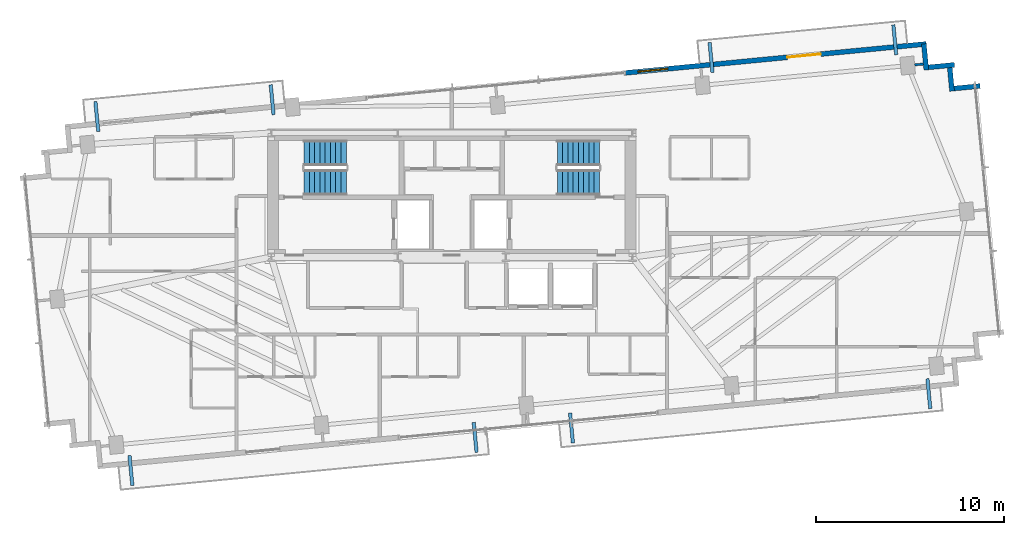
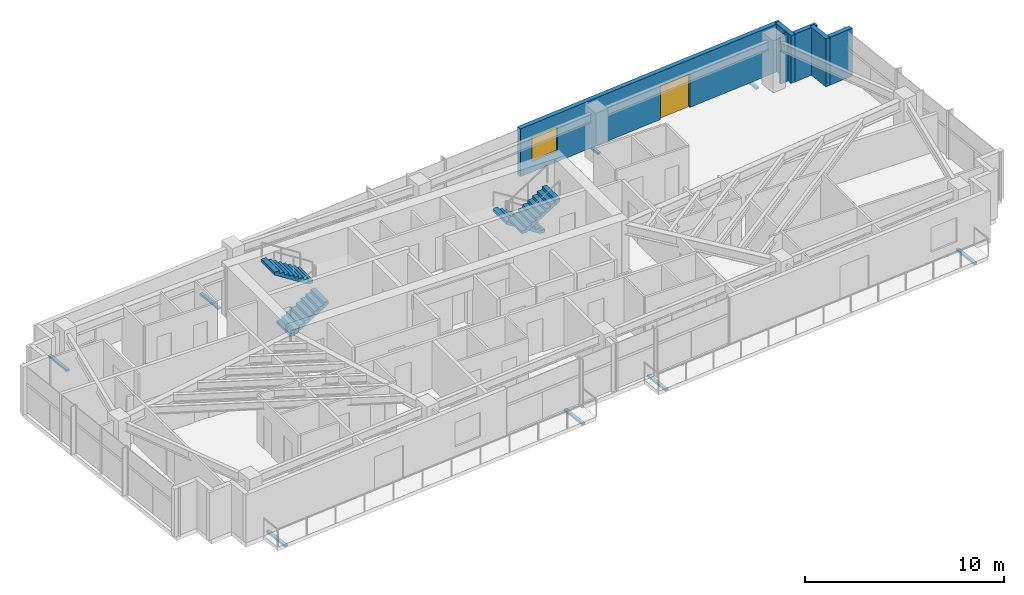
# One storey, part 16 of 18: 8 discrete accessories, 6 walls, 4 stair flights, 1 door, 1 window, 2 openings, 2 elements without a shape of their own.
"""IFC4 building model written with IfcOpenShell, lengths in metres."""

from ifc_helpers import new_model, si_unit, direction, frame, frame_2d, origin, origin_2d, place, context, subcontext, project, spatial, polyline, rectangle, outline, extrude, source, transform, mapped, material, layer, layer_set, type_object, type_shapes, element, fill, aggregate, save


model = new_model("IFC4")

# Units and contexts
model_context = context("Model", 3, precision=1e-05, world=origin(), true_north=direction((0.0, 1.0)))
body_context = subcontext(model_context, "Body", "Model", "MODEL_VIEW")
ifc_project = project(units=[si_unit("LENGTHUNIT", "METRE"), si_unit("AREAUNIT", "SQUARE_METRE"), si_unit("VOLUMEUNIT", "CUBIC_METRE"), si_unit("PLANEANGLEUNIT", "RADIAN"), si_unit("MASSUNIT", "GRAM", prefix="KILO")], contexts=[model_context])

# Site, building, storey
site_placement = place(None, origin())
site = spatial("IfcSite", under=ifc_project, at=site_placement, CompositionType="ELEMENT")
building_placement = place(site_placement, origin())
building = spatial("IfcBuilding", under=site, at=building_placement, Name="Astriad Promenade Condominiums", CompositionType="ELEMENT")
storey_placement = place(building_placement, frame((0.0, 0.0, 205.0)))
storey = spatial("IfcBuildingStorey", under=building, at=storey_placement, Name="L59", CompositionType="ELEMENT", Elevation=205.0)

# Wall, openings, door, window
ifc_material_1 = material(Name="Precast concrete C50/60", Category="concrete")
ifc_layer_1 = layer(ifc_material_1, 0.260009765625)
ifc_layer_set_1 = layer_set([ifc_layer_1], Name="Precast concrete C50/60")
wall_type_1 = type_object("IfcWallType", Name="WALL-EXT-TWR-260", PredefinedType="STANDARD", material=ifc_layer_set_1)
wall_1_placement = place(storey_placement, frame((45.198974609375, 27.189697265625, 0.0), z_axis=(0.0, 0.0, 1.0), x_axis=(0.995397074604, 0.095836652014, 0.0)))
wall_1 = element("IfcWall", 1, at=wall_1_placement, inside=storey, type_object=wall_type_1, Name="W-EXT-L59-N2", PredefinedType="STANDARD", context=body_context, shape_type="SweptSolid", body=[
    extrude(rectangle(XDim=16.10009765625, YDim=0.260009765625, at=frame_2d((8.050048828125, 0.0))), origin(), (0.0, 0.0, 1.0), 2.93994140625),
])
opening_1_placement = place(wall_1_placement, frame((8.669921875, 0.0, 0.0)))
opening_1 = element("IfcOpeningElement", 2, at=opening_1_placement, cuts=wall_1, Name="Opening BD-1822-SLD", PredefinedType="OPENING", context=body_context, shape_type="SweptSolid", body=[
    extrude(rectangle(XDim=1.800048828125, YDim=2.06005859375, at=frame_2d((0.89990234375, 1.030029296875))), frame((0.0, 0.139892578125, 0.0), z_axis=(0.0, -1.0, 0.0), x_axis=(1.0, 0.0, 0.0)), (0.0, 0.0, 1.0), 0.280029296875),
])
opening_2_placement = place(wall_1_placement, frame((0.699951171875, 0.0, 0.64990234375)))
opening_2 = element("IfcOpeningElement", 3, at=opening_2_placement, cuts=wall_1, Name="Opening WIN-TWR-1620", PredefinedType="OPENING", context=body_context, shape_type="SweptSolid", body=[
    extrude(rectangle(XDim=1.60009765625, YDim=1.5, at=frame_2d((0.800048828125, 0.75))), frame((0.0, 0.139892578125, 0.0), z_axis=(0.0, -1.0, 0.0), x_axis=(1.0, 0.0, 0.0)), (0.0, 0.0, 1.0), 0.280029296875),
])
ifc_material_2 = material(Name="Thermally Broken Aluminium Sliding Balcony Door", Category="aluminium")
door_type = type_object("IfcDoorType", Name="BD-1822-SLD", OperationType="NOTDEFINED", PredefinedType="DOOR", material=ifc_material_2)
shared_shape_1 = source(origin(), body_context, "Body", "SweptSolid", [
    extrude(rectangle(XDim=1.800048828125, YDim=2.06005859375, at=frame_2d((0.89990234375, 1.030029296875))), frame((0.0, 0.02490234375, 0.0), z_axis=(0.0, -1.0, 0.0), x_axis=(1.0, 0.0, 0.0)), (0.0, 0.0, 1.0), 0.050048828125),
])
type_shapes(door_type, [shared_shape_1])
door_placement = place(opening_1_placement, origin())
door = element("IfcDoor", 4, at=door_placement, inside=storey, type_object=door_type, Name="BD-L59-NE", OperationType="SLIDING_TO_RIGHT", OverallHeight=2.06005859375, OverallWidth=1.800048828125, PredefinedType="DOOR", context=body_context, shape_type="MappedRepresentation", body=[
    mapped(shared_shape_1, transform((0.0, 0.0, 0.0), scale=1.0)),
])
fill(opening_1, door)
ifc_material_3 = material(Name="Dark Tinted Triple-Glazed Aluminium Window", Category="aluminium")
window_type = type_object("IfcWindowType", Name="WIN-TWR-1620", PartitioningType="SINGLE_PANEL", PredefinedType="WINDOW", material=ifc_material_3)
shared_shape_2 = source(origin(), body_context, "Body", "SweptSolid", [
    extrude(rectangle(XDim=1.60009765625, YDim=1.5, at=frame_2d((0.800048828125, 0.75))), frame((0.0, 0.030029296875, 0.0), z_axis=(0.0, -1.0, 0.0), x_axis=(1.0, 0.0, 0.0)), (0.0, 0.0, 1.0), 0.06005859375),
])
type_shapes(window_type, [shared_shape_2])
window_placement = place(opening_2_placement, origin())
window = element("IfcWindow", 5, at=window_placement, inside=storey, type_object=window_type, Name="WIN-L59-NE", OverallHeight=1.5, OverallWidth=1.60009765625, PartitioningType="SINGLE_PANEL", PredefinedType="WINDOW", context=body_context, shape_type="MappedRepresentation", body=[
    mapped(shared_shape_2, transform((0.0, 0.0, 0.0), scale=1.0)),
])
fill(opening_2, window)

# Walls
wall_2_placement = place(storey_placement, frame((61.093994140625, 28.735107421875, 0.0), z_axis=(0.0, 0.0, 1.0), x_axis=(0.095742423056, -0.99540614245, 0.0)))
element("IfcWall", 6, at=wall_2_placement, inside=storey, type_object=wall_type_1, Name="W-SER-L59-09", PredefinedType="STANDARD", context=body_context, shape_type="SweptSolid", body=[
    extrude(rectangle(XDim=1.394775390625, YDim=0.260009765625, at=frame_2d((0.697265625, 0.0))), origin(), (0.0, 0.0, 1.0), 2.93994140625),
])
wall_3_placement = place(storey_placement, frame((61.32958984375, 27.487060546875, 0.0), z_axis=(0.0, 0.0, 1.0), x_axis=(0.995391056452, 0.09589913835, 0.0)))
element("IfcWall", 7, at=wall_3_placement, inside=storey, type_object=wall_type_1, Name="W-SER-L59-10", PredefinedType="STANDARD", context=body_context, shape_type="SweptSolid", body=[
    extrude(rectangle(XDim=1.39501953125, YDim=0.260009765625, at=frame_2d((0.697509765625, 0.0))), origin(), (0.0, 0.0, 1.0), 2.93994140625),
])
for number, where, z_axis, x_axis, name in (
    (8, (62.4580078125, 27.610595703125, 0.0), (0.0, 0.0, 1.0), (0.095915846097, -0.995389446633, 0.0), "W-SER-L59-11"),
    (9, (62.69384765625, 26.362548828125, 0.0), (0.0, 0.0, 1.0), (0.995389446633, 0.095915846097, 0.0), "W-SER-L59-12"),
):
    element("IfcWall", number, at=place(storey_placement, frame(where, z_axis=z_axis, x_axis=x_axis)), inside=storey, type_object=wall_type_1, Name=name, PredefinedType="STANDARD", context=body_context, shape_type="SweptSolid", body=[
        extrude(rectangle(XDim=1.394775390625, YDim=0.260009765625, at=frame_2d((0.697265625, 0.0))), origin(), (0.0, 0.0, 1.0), 2.93994140625),
    ])
ifc_material_4 = material(Name="Acoustic Metal-Stud Gypsum Partition")
ifc_layer_2 = layer(ifc_material_4, 0.1201171875)
ifc_layer_set_2 = layer_set([ifc_layer_2], Name="Acoustic Metal-Stud Gypsum Partition")
wall_type_2 = type_object("IfcWallType", Name="WALL-PART-120", PredefinedType="PARTITIONING", material=ifc_layer_set_2)
wall_4_placement = place(storey_placement, frame((60.60888671875, 27.618408203125, 0.0), z_axis=(0.0, 0.0, 1.0), x_axis=(0.995384576284, 0.09596637586, 0.0)))
element("IfcWall", 10, at=wall_4_placement, inside=storey, type_object=wall_type_2, Name="PT-PIL-L59-PC10-17", PredefinedType="PARTITIONING", context=body_context, shape_type="SweptSolid", body=[
    extrude(rectangle(XDim=0.4580078125, YDim=0.1201171875, at=frame_2d((0.22900390625, 0.0))), origin(), (0.0, 0.0, 1.0), 2.93994140625),
])

# Stair, stair flights
ifc_material_5 = material(Name="Concrete C50/60", Category="concrete")
stair_type = type_object("IfcStairType", Name="STR-CORE-1350", PredefinedType="HALF_TURN_STAIR", material=ifc_material_5)
stair_1_placement = place(storey_placement, origin())
stair_1 = element("IfcStair", 11, at=stair_1_placement, inside=storey, type_object=stair_type, Name="L59 Enclosed Core Exit Stair ST-1", PredefinedType="HALF_TURN_STAIR")
stair_flight_type = type_object("IfcStairFlightType", Name="SFL-CORE-1350", PredefinedType="STRAIGHT", material=ifc_material_5)
shared_shape_3 = source(origin(), body_context, "Body", "SweptSolid", [
    extrude(outline(polyline([(0.0, 0.0), (0.0, 0.177734375), (0.280029296875, 0.177734375), (0.280029296875, 0.35546875), (0.56005859375, 0.35546875), (0.56005859375, 0.533447265625), (0.840087890625, 0.533447265625), (0.840087890625, 0.711181640625), (1.1201171875, 0.711181640625), (1.1201171875, 0.888916015625), (1.39990234375, 0.888916015625), (1.39990234375, 1.066650390625), (1.679931640625, 1.066650390625), (1.679931640625, 1.244384765625), (1.9599609375, 1.244384765625), (1.9599609375, 1.422119140625), (2.239990234375, 1.422119140625), (2.239990234375, 1.60009765625), (2.239990234375, 1.24462890625), (0.27978515625, 0.0), (0.0, 0.0)])), frame((0.0, 0.675048828125, 0.0), z_axis=(0.0, -1.0, 0.0), x_axis=(1.0, 0.0, 0.0)), (0.0, 0.0, 1.0), 1.35009765625),
])
type_shapes(stair_flight_type, [shared_shape_3])
stair_flight_1_placement = place(storey_placement, frame((28.14990234375, 21.375, 0.0), z_axis=(0.0, 0.0, 1.0), x_axis=(1.0, 0.0, 0.0)))
stair_flight_1 = element("IfcStairFlight", 12, at=stair_flight_1_placement, type_object=stair_flight_type, Name="ST-1 flight 1", NumberOfRisers=9, NumberOfTreads=8, PredefinedType="STRAIGHT", RiserHeight=0.177777778, TreadLength=0.28, context=body_context, shape_type="MappedRepresentation", body=[
    mapped(shared_shape_3, transform((0.0, 0.0, 0.0), scale=1.0)),
])
stair_flight_2_placement = place(storey_placement, frame((30.389892578125, 22.925048828125, 1.60009765625), z_axis=(0.0, 0.0, 1.0), x_axis=(-1.0, 0.0, 0.0)))
stair_flight_2 = element("IfcStairFlight", 13, at=stair_flight_2_placement, type_object=stair_flight_type, Name="ST-1 flight 2", NumberOfRisers=9, NumberOfTreads=8, PredefinedType="STRAIGHT", RiserHeight=0.177777778, TreadLength=0.28, context=body_context, shape_type="MappedRepresentation", body=[
    mapped(shared_shape_3, transform((0.0, 0.0, 0.0), scale=1.0)),
])
aggregate(stair_1, [stair_flight_1, stair_flight_2])

stair_2_placement = place(storey_placement, origin())
stair_2 = element("IfcStair", 14, at=stair_2_placement, inside=storey, type_object=stair_type, Name="L59 Enclosed Core Exit Stair ST-2", PredefinedType="HALF_TURN_STAIR")
stair_flight_3_placement = place(storey_placement, frame((43.85009765625, 22.925048828125, 0.0), z_axis=(0.0, 0.0, 1.0), x_axis=(-1.0, 0.0, 0.0)))
stair_flight_3 = element("IfcStairFlight", 15, at=stair_flight_3_placement, type_object=stair_flight_type, Name="ST-2 flight 1", NumberOfRisers=9, NumberOfTreads=8, PredefinedType="STRAIGHT", RiserHeight=0.177777778, TreadLength=0.28, context=body_context, shape_type="MappedRepresentation", body=[
    mapped(shared_shape_3, transform((0.0, 0.0, 0.0), scale=1.0)),
])
stair_flight_4_placement = place(storey_placement, frame((41.610107421875, 21.375, 1.60009765625), z_axis=(0.0, 0.0, 1.0), x_axis=(1.0, 0.0, 0.0)))
stair_flight_4 = element("IfcStairFlight", 16, at=stair_flight_4_placement, type_object=stair_flight_type, Name="ST-2 flight 2", NumberOfRisers=9, NumberOfTreads=8, PredefinedType="STRAIGHT", RiserHeight=0.177777778, TreadLength=0.28, context=body_context, shape_type="MappedRepresentation", body=[
    mapped(shared_shape_3, transform((0.0, 0.0, 0.0), scale=1.0)),
])
aggregate(stair_2, [stair_flight_3, stair_flight_4])

# Discrete accessories
ifc_material_6 = material(Name="Steel ASTM A572 Grade 50", Category="steel")
discrete_accessory_type = type_object("IfcDiscreteAccessoryType", Name="STEEL BALCONY OUTRIGGER BRACKET", PredefinedType="BRACKET", material=ifc_material_6)
shared_shape_4 = source(origin(), body_context, "Body", "SweptSolid", [
    extrude(rectangle(XDim=1.60009765625, YDim=0.179931640625, at=origin_2d()), origin(), (0.0, 0.0, 1.0), 0.1220703125),
])
type_shapes(discrete_accessory_type, [shared_shape_4])
for number, where, z_axis, x_axis, name in (
    (17, (18.942626953125, 6.0556640625, -0.340087890625), (0.0, 0.0, 1.0), (0.09584575252, -0.995396198367, 0.0), "Balcony Outrigger Bracket BAL-L59-SW-A"),
    (18, (37.241943359375, 7.81787109375, -0.340087890625), (0.0, 0.0, 1.0), (0.09584575252, -0.995396198367, 0.0), "Balcony Outrigger Bracket BAL-L59-SW-B"),
    (19, (42.36328125, 8.310791015625, -0.340087890625), (0.0, 0.0, 1.0), (0.09584575252, -0.995396198367, 0.0), "Balcony Outrigger Bracket BAL-L59-SE-A"),
    (20, (61.359375, 10.139892578125, -0.340087890625), (0.0, 0.0, 1.0), (0.09584575252, -0.995396198367, 0.0), "Balcony Outrigger Bracket BAL-L59-SE-B"),
    (21, (17.131103515625, 24.86865234375, -0.340087890625), (0.0, 0.0, 1.0), (-0.09584575252, 0.995396198367, 0.0), "Balcony Outrigger Bracket BAL-L59-NW-A"),
    (22, (26.448974609375, 25.765869140625, -0.340087890625), (0.0, 0.0, 1.0), (-0.09584575252, 0.995396198367, 0.0), "Balcony Outrigger Bracket BAL-L59-NW-B"),
    (23, (49.781005859375, 28.0126953125, -0.340087890625), (0.0, 0.0, 1.0), (-0.09584575252, 0.995396198367, 0.0), "Balcony Outrigger Bracket BAL-L59-NE-A"),
    (24, (59.548095703125, 28.952880859375, -0.340087890625), (0.0, 0.0, 1.0), (-0.09584575252, 0.995396198367, 0.0), "Balcony Outrigger Bracket BAL-L59-NE-B"),
):
    element("IfcDiscreteAccessory", number, at=place(storey_placement, frame(where, z_axis=z_axis, x_axis=x_axis)), inside=storey, type_object=discrete_accessory_type, Name=name, PredefinedType="BRACKET", context=body_context, shape_type="MappedRepresentation", body=[
        mapped(shared_shape_4, transform((0.0, 0.0, 0.0), scale=1.0)),
    ])

save(model, "model.ifc")
